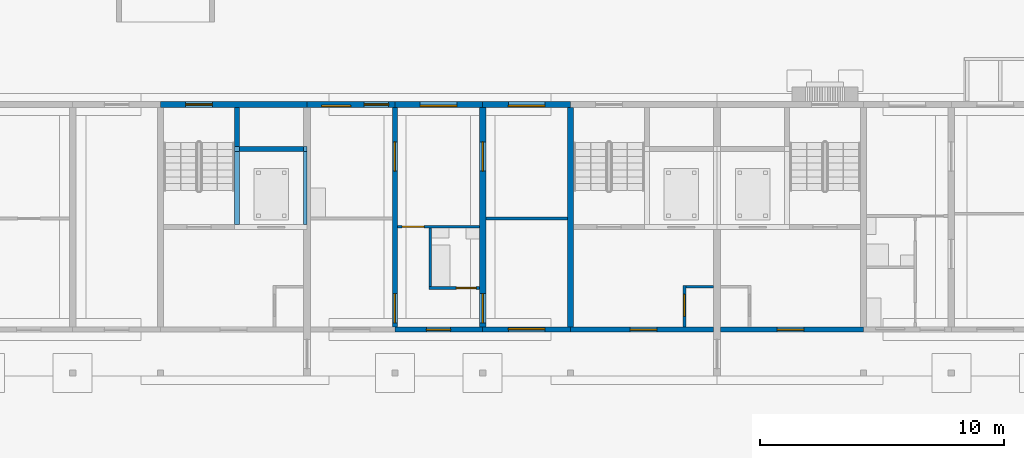
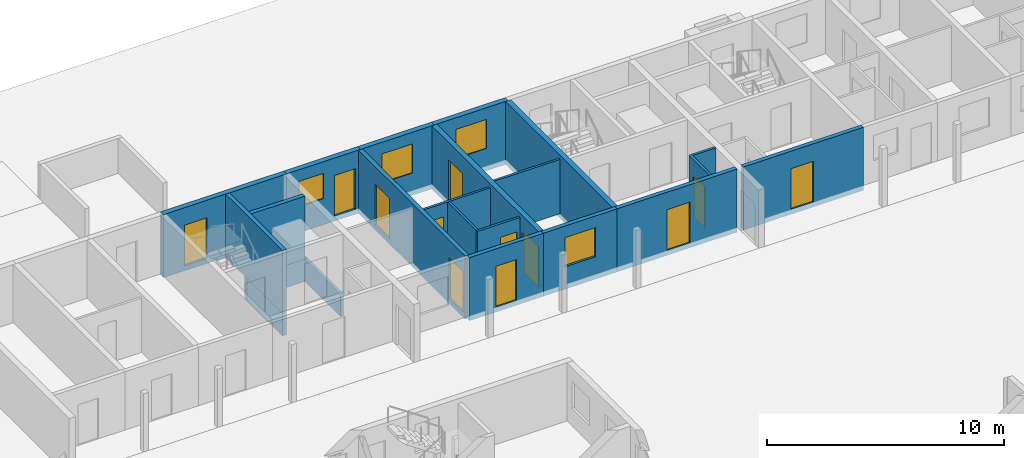
# One storey, part 65 of 112: 22 walls, 12 doors, 4 windows, 16 openings.
"""IFC4 building model written with IfcOpenShell, lengths in metres."""

from ifc_helpers import new_model, si_unit, direction, frame, frame_2d, origin, place, context, subcontext, project, spatial, rectangle, extrude, material, layer, layer_set, type_object, element, fill, save


model = new_model("IFC4")

# Units and contexts
model_context = context("Model", 3, precision=1e-05, world=origin(), true_north=direction((0.0, 1.0)))
body_context = subcontext(model_context, "Body", "Model", "MODEL_VIEW")
ifc_project = project(units=[si_unit("LENGTHUNIT", "METRE"), si_unit("AREAUNIT", "SQUARE_METRE"), si_unit("VOLUMEUNIT", "CUBIC_METRE"), si_unit("PLANEANGLEUNIT", "RADIAN"), si_unit("MASSUNIT", "GRAM", prefix="KILO")], contexts=[model_context])

# Site, building, storey
site_placement = place(None, origin())
site = spatial("IfcSite", under=ifc_project, at=site_placement, CompositionType="ELEMENT")
building_placement = place(site_placement, origin())
building = spatial("IfcBuilding", under=site, at=building_placement, Name="Ridgestep Commons", CompositionType="ELEMENT")
storey_placement = place(building_placement, origin())
storey = spatial("IfcBuildingStorey", under=building, at=storey_placement, Name="L00", CompositionType="ELEMENT", Elevation=0.0)

# Wall
ifc_material_1 = material(Name="Concrete C30/37", Category="concrete")
ifc_layer_1 = layer(ifc_material_1, 0.25)
ifc_layer_set_1 = layer_set([ifc_layer_1], Name="Core cross wall 250")
wall_type_1 = type_object("IfcWallType", Name="Core cross wall 250", PredefinedType="SHEAR", material=ifc_layer_set_1)
wall_1_placement = place(storey_placement, frame((174.39990234375, 68.0, -0.25), z_axis=(0.0, 0.0, 1.0), x_axis=(0.0, 1.0, 0.0)))
element("IfcWall", 1, at=wall_1_placement, inside=storey, type_object=wall_type_1, Name="Cross wall C-00-1744", PredefinedType="SHEAR", context=body_context, shape_type="SweptSolid", body=[
    extrude(rectangle(XDim=9.0, YDim=0.25, at=frame_2d((4.5, 0.0))), origin(), (0.0, 0.0, 1.0), 3.25),
])

# Wall, opening, door
ifc_material_2 = material(Name="Concrete C30/37", Category="concrete")
ifc_layer_2 = layer(ifc_material_2, 0.199951171875)
ifc_layer_set_2 = layer_set([ifc_layer_2], Name="Core south wall 200")
wall_type_2 = type_object("IfcWallType", Name="Core south wall 200", PredefinedType="SHEAR", material=ifc_layer_set_2)
wall_2_placement = place(storey_placement, frame((174.39990234375, 67.89990234375, -0.25), z_axis=(0.0, 0.0, 1.0), x_axis=(1.0, 0.0, 0.0)))
wall_2 = element("IfcWall", 2, at=wall_2_placement, inside=storey, type_object=wall_type_2, Name="Core south wall C2C L00", PredefinedType="SHEAR", context=body_context, shape_type="SweptSolid", body=[
    extrude(rectangle(XDim=5.85009765625, YDim=0.199951171875, at=frame_2d((2.925048828125, 0.0))), origin(), (0.0, 0.0, 1.0), 3.25),
])
opening_1_placement = place(wall_2_placement, frame((2.4375, 0.0, 0.25)))
opening_1 = element("IfcOpeningElement", 3, at=opening_1_placement, cuts=wall_2, Name="Opening C2C/00/1", PredefinedType="OPENING", context=body_context, shape_type="SweptSolid", body=[
    extrude(rectangle(XDim=1.10009765625, YDim=2.10009765625, at=frame_2d((0.550048828125, 1.050048828125))), frame((0.0, 0.10986328125, 0.0), z_axis=(0.0, -1.0, 0.0), x_axis=(1.0, 0.0, 0.0)), (0.0, 0.0, 1.0), 0.219970703125),
])
ifc_material_3 = material(Name="Steel fire door", Category="steel")
door_type_1 = type_object("IfcDoorType", Name="Lobby door 1100 x 2100 FD60", OperationType="NOTDEFINED", PredefinedType="DOOR", material=ifc_material_3)
door_1_placement = place(opening_1_placement, origin())
door_1 = element("IfcDoor", 4, at=door_1_placement, inside=storey, type_object=door_type_1, Name="Lobby door C2C/00/1", OperationType="SINGLE_SWING_LEFT", OverallHeight=2.10009765625, OverallWidth=1.10009765625, PredefinedType="DOOR", context=body_context, shape_type="SweptSolid", body=[
    extrude(rectangle(XDim=1.10009765625, YDim=2.10009765625, at=frame_2d((0.550048828125, 1.050048828125))), frame((0.0, 0.02490234375, 0.0), z_axis=(0.0, -1.0, 0.0), x_axis=(1.0, 0.0, 0.0)), (0.0, 0.0, 1.0), 0.050048828125),
])
fill(opening_1, door_1)

wall_3_placement = place(storey_placement, frame((180.550048828125, 67.89990234375, -0.25), z_axis=(0.0, 0.0, 1.0), x_axis=(1.0, 0.0, 0.0)))
wall_3 = element("IfcWall", 5, at=wall_3_placement, inside=storey, type_object=wall_type_2, Name="Core south wall C3C L00", PredefinedType="SHEAR", context=body_context, shape_type="SweptSolid", body=[
    extrude(rectangle(XDim=5.849853515625, YDim=0.199951171875, at=frame_2d((2.9248046875, 0.0))), origin(), (0.0, 0.0, 1.0), 3.25),
])
opening_2_placement = place(wall_3_placement, frame((2.3125, 0.0, 0.25)))
opening_2 = element("IfcOpeningElement", 6, at=opening_2_placement, cuts=wall_3, Name="Opening C3C/00/1", PredefinedType="OPENING", context=body_context, shape_type="SweptSolid", body=[
    extrude(rectangle(XDim=1.10009765625, YDim=2.10009765625, at=frame_2d((0.550048828125, 1.050048828125))), frame((0.0, 0.10986328125, 0.0), z_axis=(0.0, -1.0, 0.0), x_axis=(1.0, 0.0, 0.0)), (0.0, 0.0, 1.0), 0.219970703125),
])
door_2_placement = place(opening_2_placement, origin())
door_2 = element("IfcDoor", 7, at=door_2_placement, inside=storey, type_object=door_type_1, Name="Lobby door C3C/00/1", OperationType="SINGLE_SWING_LEFT", OverallHeight=2.10009765625, OverallWidth=1.10009765625, PredefinedType="DOOR", context=body_context, shape_type="SweptSolid", body=[
    extrude(rectangle(XDim=1.10009765625, YDim=2.10009765625, at=frame_2d((0.550048828125, 1.050048828125))), frame((0.0, 0.02490234375, 0.0), z_axis=(0.0, -1.0, 0.0), x_axis=(1.0, 0.0, 0.0)), (0.0, 0.0, 1.0), 0.050048828125),
])
fill(opening_2, door_2)

ifc_material_4 = material(Name="Concrete C30/37", Category="concrete")
ifc_layer_3 = layer(ifc_material_4, 0.1201171875)
ifc_layer_set_3 = layer_set([ifc_layer_3], Name="Core wall 120")
wall_type_3 = type_object("IfcWallType", Name="Core wall 120", PredefinedType="SHEAR", material=ifc_layer_set_3)
wall_4_placement = place(storey_placement, frame((179.06005859375, 68.0, -0.25), z_axis=(0.0, 0.0, 1.0), x_axis=(0.0, 1.0, 0.0)))
wall_4 = element("IfcWall", 8, at=wall_4_placement, inside=storey, type_object=wall_type_3, Name="Core riser w wall C2C L00", PredefinedType="SHEAR", context=body_context, shape_type="SweptSolid", body=[
    extrude(rectangle(XDim=1.719970703125, YDim=0.1201171875, at=frame_2d((0.85986328125, 0.0))), origin(), (0.0, 0.0, 1.0), 3.25),
])
opening_3_placement = place(wall_4_placement, frame((0.449951171875, 0.0, 0.25)))
opening_3 = element("IfcOpeningElement", 9, at=opening_3_placement, cuts=wall_4, Name="Opening C2C/00/4", PredefinedType="OPENING", context=body_context, shape_type="SweptSolid", body=[
    extrude(rectangle(XDim=0.89990234375, YDim=2.10009765625, at=frame_2d((0.449951171875, 1.050048828125))), frame((0.0, 0.070068359375, 0.0), z_axis=(0.0, -1.0, 0.0), x_axis=(1.0, 0.0, 0.0)), (0.0, 0.0, 1.0), 0.14013671875),
])
ifc_material_5 = material(Name="Steel fire door", Category="steel")
door_type_2 = type_object("IfcDoorType", Name="Riser door 900 x 2100 FD60", OperationType="NOTDEFINED", PredefinedType="DOOR", material=ifc_material_5)
door_3_placement = place(opening_3_placement, origin())
door_3 = element("IfcDoor", 10, at=door_3_placement, inside=storey, type_object=door_type_2, Name="Riser door C2C/00/4", OperationType="SINGLE_SWING_LEFT", OverallHeight=2.10009765625, OverallWidth=0.89990234375, PredefinedType="DOOR", context=body_context, shape_type="SweptSolid", body=[
    extrude(rectangle(XDim=0.89990234375, YDim=2.10009765625, at=frame_2d((0.449951171875, 1.050048828125))), frame((0.0, 0.02490234375, 0.0), z_axis=(0.0, -1.0, 0.0), x_axis=(1.0, 0.0, 0.0)), (0.0, 0.0, 1.0), 0.050048828125),
])
fill(opening_3, door_3)

# Walls
wall_5_placement = place(storey_placement, frame((179.1201171875, 69.659912109375, -0.25), z_axis=(0.0, 0.0, 1.0), x_axis=(1.0, 0.0, 0.0)))
element("IfcWall", 11, at=wall_5_placement, inside=storey, type_object=wall_type_3, Name="Core riser n wall C2C L00", PredefinedType="SHEAR", context=body_context, shape_type="SweptSolid", body=[
    extrude(rectangle(XDim=1.1298828125, YDim=0.1201171875, at=frame_2d((0.56494140625, 0.0))), origin(), (0.0, 0.0, 1.0), 3.25),
])
ifc_material_6 = material(Name="Concrete C30/37", Category="concrete")
ifc_layer_4 = layer(ifc_material_6, 0.14990234375)
ifc_layer_set_4 = layer_set([ifc_layer_4], Name="Core wall 150")
wall_type_4 = type_object("IfcWallType", Name="Core wall 150", PredefinedType="SHEAR", material=ifc_layer_set_4)
wall_6_placement = place(storey_placement, frame((163.52490234375, 72.199951171875, -1.39990234375), z_axis=(0.0, 0.0, 1.0), x_axis=(0.0, 1.0, 0.0)))
element("IfcWall", 12, at=wall_6_placement, inside=storey, type_object=wall_type_4, Name="Lift pit wall C1C", PredefinedType="SHEAR", context=body_context, shape_type="SweptSolid", body=[
    extrude(rectangle(XDim=3.0, YDim=0.14990234375, at=frame_2d((1.5, 0.0))), origin(), (0.0, 0.0, 1.0), 1.14990234375),
])
ifc_material_7 = material(Name="Concrete C30/37", Category="concrete")
ifc_layer_5 = layer(ifc_material_7, 0.199951171875)
ifc_layer_set_5 = layer_set([ifc_layer_5], Name="Core wall 200")
wall_type_5 = type_object("IfcWallType", Name="Core wall 200", PredefinedType="SHEAR", material=ifc_layer_set_5)
wall_7_placement = place(storey_placement, frame((160.72509765625, 72.199951171875, -0.25), z_axis=(0.0, 0.0, 1.0), x_axis=(0.0, 1.0, 0.0)))
element("IfcWall", 13, at=wall_7_placement, inside=storey, type_object=wall_type_5, Name="Core stair wall C1C L00", PredefinedType="SHEAR", context=body_context, shape_type="SweptSolid", body=[
    extrude(rectangle(XDim=4.800048828125, YDim=0.199951171875, at=frame_2d((2.39990234375, 0.0))), origin(), (0.0, 0.0, 1.0), 3.25),
])
wall_8_placement = place(storey_placement, frame((160.824951171875, 75.300048828125, -0.25), z_axis=(0.0, 0.0, 1.0), x_axis=(1.0, 0.0, 0.0)))
element("IfcWall", 14, at=wall_8_placement, inside=storey, type_object=wall_type_5, Name="Core duct wall C1C L00", PredefinedType="SHEAR", context=body_context, shape_type="SweptSolid", body=[
    extrude(rectangle(XDim=2.625, YDim=0.199951171875, at=frame_2d((1.3125, 0.0))), origin(), (0.0, 0.0, 1.0), 3.25),
])
wall_9_placement = place(storey_placement, frame((160.625, 75.300048828125, -1.39990234375), z_axis=(0.0, 0.0, 1.0), x_axis=(1.0, 0.0, 0.0)))
element("IfcWall", 15, at=wall_9_placement, inside=storey, type_object=wall_type_5, Name="Lift pit wall C1C", PredefinedType="SHEAR", context=body_context, shape_type="SweptSolid", body=[
    extrude(rectangle(XDim=2.97509765625, YDim=0.199951171875, at=frame_2d((1.487548828125, 0.0))), origin(), (0.0, 0.0, 1.0), 1.14990234375),
])
wall_10_placement = place(storey_placement, frame((160.72509765625, 72.199951171875, -1.39990234375), z_axis=(0.0, 0.0, 1.0), x_axis=(0.0, 1.0, 0.0)))
element("IfcWall", 16, at=wall_10_placement, inside=storey, type_object=wall_type_5, Name="Lift pit wall C1C", PredefinedType="SHEAR", context=body_context, shape_type="SweptSolid", body=[
    extrude(rectangle(XDim=3.0, YDim=0.199951171875, at=frame_2d((1.5, 0.0))), origin(), (0.0, 0.0, 1.0), 1.14990234375),
])

# Wall, openings, doors
ifc_material_8 = material(Name="Precast concrete C40/50", Category="concrete")
ifc_layer_6 = layer(ifc_material_8, 0.199951171875)
ifc_layer_set_6 = layer_set([ifc_layer_6], Name="Cross wall 200")
wall_type_6 = type_object("IfcWallType", Name="Cross wall 200", PredefinedType="SHEAR", material=ifc_layer_set_6)
wall_11_placement = place(storey_placement, frame((167.199951171875, 68.0, -0.25), z_axis=(0.0, 0.0, 1.0), x_axis=(0.0, 1.0, 0.0)))
wall_11 = element("IfcWall", 17, at=wall_11_placement, inside=storey, type_object=wall_type_6, Name="Cross wall C-00-1672", PredefinedType="SHEAR", context=body_context, shape_type="SweptSolid", body=[
    extrude(rectangle(XDim=9.0, YDim=0.199951171875, at=frame_2d((4.5, 0.0))), origin(), (0.0, 0.0, 1.0), 3.25),
])
opening_4_placement = place(wall_11_placement, frame((0.175048828125, 0.0, 0.25)))
opening_4 = element("IfcOpeningElement", 18, at=opening_4_placement, cuts=wall_11, Name="Opening C2-00a/4", PredefinedType="OPENING", context=body_context, shape_type="SweptSolid", body=[
    extrude(rectangle(XDim=1.199951171875, YDim=2.10009765625, at=frame_2d((0.60009765625, 1.050048828125))), frame((0.0, 0.10986328125, 0.0), z_axis=(0.0, -1.0, 0.0), x_axis=(1.0, 0.0, 0.0)), (0.0, 0.0, 1.0), 0.219970703125),
])
opening_5_placement = place(wall_11_placement, frame((6.39990234375, 0.0, 0.25)))
opening_5 = element("IfcOpeningElement", 19, at=opening_5_placement, cuts=wall_11, Name="Opening C2-00a/5", PredefinedType="OPENING", context=body_context, shape_type="SweptSolid", body=[
    extrude(rectangle(XDim=1.199951171875, YDim=2.10009765625, at=frame_2d((0.60009765625, 1.050048828125))), frame((0.0, 0.10986328125, 0.0), z_axis=(0.0, -1.0, 0.0), x_axis=(1.0, 0.0, 0.0)), (0.0, 0.0, 1.0), 0.219970703125),
])
ifc_material_9 = material(Name="Timber door leaf", Category="wood")
door_type_3 = type_object("IfcDoorType", Name="Double door 1200 x 2100", OperationType="DOUBLE_DOOR_SINGLE_SWING", PredefinedType="DOOR", material=ifc_material_9)
door_4_placement = place(opening_4_placement, origin())
door_4 = element("IfcDoor", 20, at=door_4_placement, inside=storey, type_object=door_type_3, Name="Double door C2-00a/4", OperationType="DOUBLE_DOOR_SINGLE_SWING", OverallHeight=2.10009765625, OverallWidth=1.199951171875, PredefinedType="DOOR", context=body_context, shape_type="SweptSolid", body=[
    extrude(rectangle(XDim=1.199951171875, YDim=2.10009765625, at=frame_2d((0.60009765625, 1.050048828125))), frame((0.0, 0.02490234375, 0.0), z_axis=(0.0, -1.0, 0.0), x_axis=(1.0, 0.0, 0.0)), (0.0, 0.0, 1.0), 0.050048828125),
])
fill(opening_4, door_4)
door_5_placement = place(opening_5_placement, origin())
door_5 = element("IfcDoor", 21, at=door_5_placement, inside=storey, type_object=door_type_3, Name="Double door C2-00a/5", OperationType="DOUBLE_DOOR_SINGLE_SWING", OverallHeight=2.10009765625, OverallWidth=1.199951171875, PredefinedType="DOOR", context=body_context, shape_type="SweptSolid", body=[
    extrude(rectangle(XDim=1.199951171875, YDim=2.10009765625, at=frame_2d((0.60009765625, 1.050048828125))), frame((0.0, 0.02490234375, 0.0), z_axis=(0.0, -1.0, 0.0), x_axis=(1.0, 0.0, 0.0)), (0.0, 0.0, 1.0), 0.050048828125),
])
fill(opening_5, door_5)

ifc_material_10 = material(Name="Precast concrete C40/50", Category="concrete")
ifc_layer_7 = layer(ifc_material_10, 0.25)
ifc_layer_set_7 = layer_set([ifc_layer_7], Name="Cross wall 250")
wall_type_7 = type_object("IfcWallType", Name="Cross wall 250", PredefinedType="SHEAR", material=ifc_layer_set_7)
wall_12_placement = place(storey_placement, frame((170.800048828125, 68.0, -0.25), z_axis=(0.0, 0.0, 1.0), x_axis=(0.0, 1.0, 0.0)))
wall_12 = element("IfcWall", 22, at=wall_12_placement, inside=storey, type_object=wall_type_7, Name="Cross wall C-00-1708", PredefinedType="SHEAR", context=body_context, shape_type="SweptSolid", body=[
    extrude(rectangle(XDim=9.0, YDim=0.25, at=frame_2d((4.5, 0.0))), origin(), (0.0, 0.0, 1.0), 3.25),
])
opening_6_placement = place(wall_12_placement, frame((0.175048828125, 0.0, 0.25)))
opening_6 = element("IfcOpeningElement", 23, at=opening_6_placement, cuts=wall_12, Name="Opening C2-00a/6", PredefinedType="OPENING", context=body_context, shape_type="SweptSolid", body=[
    extrude(rectangle(XDim=1.199951171875, YDim=2.10009765625, at=frame_2d((0.60009765625, 1.050048828125))), frame((0.0, 0.135009765625, 0.0), z_axis=(0.0, -1.0, 0.0), x_axis=(1.0, 0.0, 0.0)), (0.0, 0.0, 1.0), 0.27001953125),
])
opening_7_placement = place(wall_12_placement, frame((6.39990234375, 0.0, 0.25)))
opening_7 = element("IfcOpeningElement", 24, at=opening_7_placement, cuts=wall_12, Name="Opening C2-00a/7", PredefinedType="OPENING", context=body_context, shape_type="SweptSolid", body=[
    extrude(rectangle(XDim=1.199951171875, YDim=2.10009765625, at=frame_2d((0.60009765625, 1.050048828125))), frame((0.0, 0.135009765625, 0.0), z_axis=(0.0, -1.0, 0.0), x_axis=(1.0, 0.0, 0.0)), (0.0, 0.0, 1.0), 0.27001953125),
])
door_6_placement = place(opening_6_placement, origin())
door_6 = element("IfcDoor", 25, at=door_6_placement, inside=storey, type_object=door_type_3, Name="Double door C2-00a/6", OperationType="DOUBLE_DOOR_SINGLE_SWING", OverallHeight=2.10009765625, OverallWidth=1.199951171875, PredefinedType="DOOR", context=body_context, shape_type="SweptSolid", body=[
    extrude(rectangle(XDim=1.199951171875, YDim=2.10009765625, at=frame_2d((0.60009765625, 1.050048828125))), frame((0.0, 0.02490234375, 0.0), z_axis=(0.0, -1.0, 0.0), x_axis=(1.0, 0.0, 0.0)), (0.0, 0.0, 1.0), 0.050048828125),
])
fill(opening_6, door_6)
door_7_placement = place(opening_7_placement, origin())
door_7 = element("IfcDoor", 26, at=door_7_placement, inside=storey, type_object=door_type_3, Name="Double door C2-00a/7", OperationType="DOUBLE_DOOR_SINGLE_SWING", OverallHeight=2.10009765625, OverallWidth=1.199951171875, PredefinedType="DOOR", context=body_context, shape_type="SweptSolid", body=[
    extrude(rectangle(XDim=1.199951171875, YDim=2.10009765625, at=frame_2d((0.60009765625, 1.050048828125))), frame((0.0, 0.02490234375, 0.0), z_axis=(0.0, -1.0, 0.0), x_axis=(1.0, 0.0, 0.0)), (0.0, 0.0, 1.0), 0.050048828125),
])
fill(opening_7, door_7)

# Wall, opening, door
ifc_material_11 = material(Name="Precast concrete C40/50", Category="concrete")
ifc_layer_8 = layer(ifc_material_11, 0.25)
ifc_layer_set_8 = layer_set([ifc_layer_8], Name="North facade panel 250")
wall_type_8 = type_object("IfcWallType", Name="North facade panel 250", PredefinedType="SOLIDWALL", material=ifc_layer_set_8)
wall_13_placement = place(storey_placement, frame((157.60009765625, 77.125, -0.25), z_axis=(0.0, 0.0, 1.0), x_axis=(1.0, 0.0, 0.0)))
wall_13 = element("IfcWall", 27, at=wall_13_placement, inside=storey, type_object=wall_type_8, Name="North panel C1C L00", PredefinedType="SOLIDWALL", context=body_context, shape_type="SweptSolid", body=[
    extrude(rectangle(XDim=6.0, YDim=0.25, at=frame_2d((3.0, 0.0))), origin(), (0.0, 0.0, 1.0), 3.25),
])
opening_8_placement = place(wall_13_placement, frame((1.02490234375, 0.0, 0.25)))
opening_8 = element("IfcOpeningElement", 28, at=opening_8_placement, cuts=wall_13, Name="Opening C1C/00/5", PredefinedType="OPENING", context=body_context, shape_type="SweptSolid", body=[
    extrude(rectangle(XDim=1.10009765625, YDim=2.10009765625, at=frame_2d((0.550048828125, 1.050048828125))), frame((0.0, 0.135009765625, 0.0), z_axis=(0.0, -1.0, 0.0), x_axis=(1.0, 0.0, 0.0)), (0.0, 0.0, 1.0), 0.27001953125),
])
ifc_material_12 = material(Name="Steel fire door", Category="steel")
door_type_4 = type_object("IfcDoorType", Name="Stair exit door 1100 x 2100 FD60", OperationType="NOTDEFINED", PredefinedType="DOOR", material=ifc_material_12)
door_8_placement = place(opening_8_placement, origin())
door_8 = element("IfcDoor", 29, at=door_8_placement, inside=storey, type_object=door_type_4, Name="Stair exit door C1C/00/5", OperationType="SINGLE_SWING_LEFT", OverallHeight=2.10009765625, OverallWidth=1.10009765625, PredefinedType="DOOR", context=body_context, shape_type="SweptSolid", body=[
    extrude(rectangle(XDim=1.10009765625, YDim=2.10009765625, at=frame_2d((0.550048828125, 1.050048828125))), frame((0.0, 0.02490234375, 0.0), z_axis=(0.0, -1.0, 0.0), x_axis=(1.0, 0.0, 0.0)), (0.0, 0.0, 1.0), 0.050048828125),
])
fill(opening_8, door_8)

# Wall, openings, door, window
wall_14_placement = place(storey_placement, frame((163.60009765625, 77.125, -0.25), z_axis=(0.0, 0.0, 1.0), x_axis=(1.0, 0.0, 0.0)))
wall_14 = element("IfcWall", 30, at=wall_14_placement, inside=storey, type_object=wall_type_8, Name="North panel C2T1 L00", PredefinedType="SOLIDWALL", context=body_context, shape_type="SweptSolid", body=[
    extrude(rectangle(XDim=3.599853515625, YDim=0.25, at=frame_2d((1.7998046875, 0.0))), origin(), (0.0, 0.0, 1.0), 3.25),
])
opening_9_placement = place(wall_14_placement, frame((0.596923828125, 0.0, 1.35009765625)))
opening_9 = element("IfcOpeningElement", 31, at=opening_9_placement, cuts=wall_14, Name="Opening W08", PredefinedType="OPENING", context=body_context, shape_type="SweptSolid", body=[
    extrude(rectangle(XDim=1.199951171875, YDim=1.300048828125, at=frame_2d((0.60009765625, 0.64990234375))), frame((0.0, 0.135009765625, 0.0), z_axis=(0.0, -1.0, 0.0), x_axis=(1.0, 0.0, 0.0)), (0.0, 0.0, 1.0), 0.27001953125),
])
opening_10_placement = place(wall_14_placement, frame((2.343994140625, 0.0, 0.25)))
opening_10 = element("IfcOpeningElement", 32, at=opening_10_placement, cuts=wall_14, Name="Opening C2-00a/8", PredefinedType="OPENING", context=body_context, shape_type="SweptSolid", body=[
    extrude(rectangle(XDim=1.0, YDim=2.10009765625, at=frame_2d((0.5, 1.050048828125))), frame((0.0, 0.135009765625, 0.0), z_axis=(0.0, -1.0, 0.0), x_axis=(1.0, 0.0, 0.0)), (0.0, 0.0, 1.0), 0.27001953125),
])
ifc_material_13 = material(Name="Aluminium and glass", Category="aluminium")
door_type_5 = type_object("IfcDoorType", Name="Balcony door 1000 x 2100", OperationType="NOTDEFINED", PredefinedType="DOOR", material=ifc_material_13)
door_9_placement = place(opening_10_placement, origin())
door_9 = element("IfcDoor", 33, at=door_9_placement, inside=storey, type_object=door_type_5, Name="Balcony door C2-00a/8", OperationType="SINGLE_SWING_LEFT", OverallHeight=2.10009765625, OverallWidth=1.0, PredefinedType="DOOR", context=body_context, shape_type="SweptSolid", body=[
    extrude(rectangle(XDim=1.0, YDim=2.10009765625, at=frame_2d((0.5, 1.050048828125))), frame((0.0, 0.02490234375, 0.0), z_axis=(0.0, -1.0, 0.0), x_axis=(1.0, 0.0, 0.0)), (0.0, 0.0, 1.0), 0.050048828125),
])
fill(opening_10, door_9)
ifc_material_14 = material(Name="Aluminium 6063-T6 and glass", Category="aluminium")
window_type_1 = type_object("IfcWindowType", Name="Flat window 1200 x 1300", PartitioningType="SINGLE_PANEL", PredefinedType="WINDOW", material=ifc_material_14)
window_1_placement = place(opening_9_placement, origin())
window_1 = element("IfcWindow", 34, at=window_1_placement, inside=storey, type_object=window_type_1, Name="Window C2-00a 2", OverallHeight=1.300048828125, OverallWidth=1.199951171875, PartitioningType="SINGLE_PANEL", PredefinedType="WINDOW", context=body_context, shape_type="SweptSolid", body=[
    extrude(rectangle(XDim=1.199951171875, YDim=1.300048828125, at=frame_2d((0.60009765625, 0.64990234375))), frame((0.0, -0.02490234375, 0.0), z_axis=(0.0, -1.0, 0.0), x_axis=(1.0, 0.0, 0.0)), (0.0, 0.0, 1.0), 0.06005859375),
])
fill(opening_9, window_1)

# Wall, opening, window
wall_15_placement = place(storey_placement, frame((167.199951171875, 77.125, -0.25), z_axis=(0.0, 0.0, 1.0), x_axis=(1.0, 0.0, 0.0)))
wall_15 = element("IfcWall", 35, at=wall_15_placement, inside=storey, type_object=wall_type_8, Name="North panel C2T2 L00", PredefinedType="SOLIDWALL", context=body_context, shape_type="SweptSolid", body=[
    extrude(rectangle(XDim=3.60009765625, YDim=0.25, at=frame_2d((1.800048828125, 0.0))), origin(), (0.0, 0.0, 1.0), 3.25),
])
opening_11_placement = place(wall_15_placement, frame((1.03759765625, 0.0, 1.14990234375)))
opening_11 = element("IfcOpeningElement", 36, at=opening_11_placement, cuts=wall_15, Name="Opening W16", PredefinedType="OPENING", context=body_context, shape_type="SweptSolid", body=[
    extrude(rectangle(XDim=1.5, YDim=1.5, at=frame_2d((0.75, 0.75))), frame((0.0, 0.135009765625, 0.0), z_axis=(0.0, -1.0, 0.0), x_axis=(1.0, 0.0, 0.0)), (0.0, 0.0, 1.0), 0.27001953125),
])
ifc_material_15 = material(Name="Aluminium 6063-T6 and glass", Category="aluminium")
window_type_2 = type_object("IfcWindowType", Name="Flat window 1500 x 1500", PartitioningType="DOUBLE_PANEL_VERTICAL", PredefinedType="WINDOW", material=ifc_material_15)
window_2_placement = place(opening_11_placement, origin())
window_2 = element("IfcWindow", 37, at=window_2_placement, inside=storey, type_object=window_type_2, Name="Window C2-00a 5", OverallHeight=1.5, OverallWidth=1.5, PartitioningType="SINGLE_PANEL", PredefinedType="WINDOW", context=body_context, shape_type="SweptSolid", body=[
    extrude(rectangle(XDim=1.5, YDim=1.5, at=frame_2d((0.75, 0.75))), frame((0.0, -0.02490234375, 0.0), z_axis=(0.0, -1.0, 0.0), x_axis=(1.0, 0.0, 0.0)), (0.0, 0.0, 1.0), 0.06005859375),
])
fill(opening_11, window_2)

wall_16_placement = place(storey_placement, frame((170.800048828125, 77.125, -0.25), z_axis=(0.0, 0.0, 1.0), x_axis=(1.0, 0.0, 0.0)))
wall_16 = element("IfcWall", 38, at=wall_16_placement, inside=storey, type_object=wall_type_8, Name="North panel C2T3 L00", PredefinedType="SOLIDWALL", context=body_context, shape_type="SweptSolid", body=[
    extrude(rectangle(XDim=3.599853515625, YDim=0.25, at=frame_2d((1.7998046875, 0.0))), origin(), (0.0, 0.0, 1.0), 3.25),
])
opening_12_placement = place(wall_16_placement, frame((1.050048828125, 0.0, 1.14990234375)))
opening_12 = element("IfcOpeningElement", 39, at=opening_12_placement, cuts=wall_16, Name="Opening W16", PredefinedType="OPENING", context=body_context, shape_type="SweptSolid", body=[
    extrude(rectangle(XDim=1.5, YDim=1.5, at=frame_2d((0.75, 0.75))), frame((0.0, 0.135009765625, 0.0), z_axis=(0.0, -1.0, 0.0), x_axis=(1.0, 0.0, 0.0)), (0.0, 0.0, 1.0), 0.27001953125),
])
window_3_placement = place(opening_12_placement, origin())
window_3 = element("IfcWindow", 40, at=window_3_placement, inside=storey, type_object=window_type_2, Name="Window C2-00a 4", OverallHeight=1.5, OverallWidth=1.5, PartitioningType="SINGLE_PANEL", PredefinedType="WINDOW", context=body_context, shape_type="SweptSolid", body=[
    extrude(rectangle(XDim=1.5, YDim=1.5, at=frame_2d((0.75, 0.75))), frame((0.0, -0.02490234375, 0.0), z_axis=(0.0, -1.0, 0.0), x_axis=(1.0, 0.0, 0.0)), (0.0, 0.0, 1.0), 0.06005859375),
])
fill(opening_12, window_3)

# Wall, opening, door
ifc_material_16 = material(Name="Common brick 110 mm", Category="masonry")
ifc_layer_9 = layer(ifc_material_16, 0.110107421875)
ifc_layer_set_9 = layer_set([ifc_layer_9], Name="Partition 110")
wall_type_9 = type_object("IfcWallType", Name="Partition 110", PredefinedType="PARTITIONING", material=ifc_layer_set_9)
wall_17_placement = place(storey_placement, frame((168.60009765625, 69.60498046875, 0.0), z_axis=(0.0, 0.0, 1.0), x_axis=(1.0, 0.0, 0.0)))
wall_17 = element("IfcWall", 41, at=wall_17_placement, inside=storey, type_object=wall_type_9, Name="Partition C2-00a", PredefinedType="PARTITIONING", context=body_context, shape_type="SweptSolid", body=[
    extrude(rectangle(XDim=2.074951171875, YDim=0.110107421875, at=frame_2d((1.03759765625, 0.0))), origin(), (0.0, 0.0, 1.0), 2.800048828125),
])
opening_13_placement = place(wall_17_placement, frame((1.125, 0.0, 0.0)))
opening_13 = element("IfcOpeningElement", 42, at=opening_13_placement, cuts=wall_17, Name="Opening C2-00a/2", PredefinedType="OPENING", context=body_context, shape_type="SweptSolid", body=[
    extrude(rectangle(XDim=0.800048828125, YDim=2.10009765625, at=frame_2d((0.39990234375, 1.050048828125))), frame((0.0, 0.06494140625, 0.0), z_axis=(0.0, -1.0, 0.0), x_axis=(1.0, 0.0, 0.0)), (0.0, 0.0, 1.0), 0.130126953125),
])
ifc_material_17 = material(Name="Timber door leaf", Category="wood")
door_type_6 = type_object("IfcDoorType", Name="Internal door 800 x 2100", OperationType="NOTDEFINED", PredefinedType="DOOR", material=ifc_material_17)
door_10_placement = place(opening_13_placement, origin())
door_10 = element("IfcDoor", 43, at=door_10_placement, inside=storey, type_object=door_type_6, Name="Internal door C2-00a/2", OperationType="SINGLE_SWING_RIGHT", OverallHeight=2.10009765625, OverallWidth=0.800048828125, PredefinedType="DOOR", context=body_context, shape_type="SweptSolid", body=[
    extrude(rectangle(XDim=0.800048828125, YDim=2.10009765625, at=frame_2d((0.39990234375, 1.050048828125))), frame((0.0, 0.02490234375, 0.0), z_axis=(0.0, -1.0, 0.0), x_axis=(1.0, 0.0, 0.0)), (0.0, 0.0, 1.0), 0.050048828125),
])
fill(opening_13, door_10)

# Wall
wall_18_placement = place(storey_placement, frame((168.655029296875, 69.659912109375, 0.0), z_axis=(0.0, 0.0, 1.0), x_axis=(0.0, 1.0, 0.0)))
element("IfcWall", 44, at=wall_18_placement, inside=storey, type_object=wall_type_9, Name="Partition C2-00a", PredefinedType="PARTITIONING", context=body_context, shape_type="SweptSolid", body=[
    extrude(rectangle(XDim=2.400146484375, YDim=0.110107421875, at=frame_2d((1.2001953125, 0.0))), origin(), (0.0, 0.0, 1.0), 2.800048828125),
])

# Wall, opening, door
wall_19_placement = place(storey_placement, frame((167.300048828125, 72.114990234375, 0.0), z_axis=(0.0, 0.0, 1.0), x_axis=(1.0, 0.0, 0.0)))
wall_19 = element("IfcWall", 45, at=wall_19_placement, inside=storey, type_object=wall_type_9, Name="Partition C2-00a", PredefinedType="PARTITIONING", context=body_context, shape_type="SweptSolid", body=[
    extrude(rectangle(XDim=3.375, YDim=0.110107421875, at=frame_2d((1.6875, 0.0))), origin(), (0.0, 0.0, 1.0), 2.800048828125),
])
opening_14_placement = place(wall_19_placement, frame((0.199951171875, 0.0, 0.0)))
opening_14 = element("IfcOpeningElement", 46, at=opening_14_placement, cuts=wall_19, Name="Opening C2-00a/3", PredefinedType="OPENING", context=body_context, shape_type="SweptSolid", body=[
    extrude(rectangle(XDim=0.89990234375, YDim=2.10009765625, at=frame_2d((0.449951171875, 1.050048828125))), frame((0.0, 0.06494140625, 0.0), z_axis=(0.0, -1.0, 0.0), x_axis=(1.0, 0.0, 0.0)), (0.0, 0.0, 1.0), 0.130126953125),
])
ifc_material_18 = material(Name="Timber door leaf", Category="wood")
door_type_7 = type_object("IfcDoorType", Name="Internal door 900 x 2100", OperationType="NOTDEFINED", PredefinedType="DOOR", material=ifc_material_18)
door_11_placement = place(opening_14_placement, origin())
door_11 = element("IfcDoor", 47, at=door_11_placement, inside=storey, type_object=door_type_7, Name="Internal door C2-00a/3", OperationType="SINGLE_SWING_LEFT", OverallHeight=2.10009765625, OverallWidth=0.89990234375, PredefinedType="DOOR", context=body_context, shape_type="SweptSolid", body=[
    extrude(rectangle(XDim=0.89990234375, YDim=2.10009765625, at=frame_2d((0.449951171875, 1.050048828125))), frame((0.0, 0.02490234375, 0.0), z_axis=(0.0, -1.0, 0.0), x_axis=(1.0, 0.0, 0.0)), (0.0, 0.0, 1.0), 0.050048828125),
])
fill(opening_14, door_11)

# Wall
wall_20_placement = place(storey_placement, frame((170.925048828125, 72.455078125, 0.0), z_axis=(0.0, 0.0, 1.0), x_axis=(1.0, 0.0, 0.0)))
element("IfcWall", 48, at=wall_20_placement, inside=storey, type_object=wall_type_9, Name="Partition C2-00a", PredefinedType="PARTITIONING", context=body_context, shape_type="SweptSolid", body=[
    extrude(rectangle(XDim=3.349853515625, YDim=0.110107421875, at=frame_2d((1.6748046875, 0.0))), origin(), (0.0, 0.0, 1.0), 2.800048828125),
])

# Wall, opening, door
ifc_material_19 = material(Name="Precast concrete C40/50", Category="concrete")
ifc_layer_10 = layer(ifc_material_19, 0.199951171875)
ifc_layer_set_10 = layer_set([ifc_layer_10], Name="South facade panel 200")
wall_type_10 = type_object("IfcWallType", Name="South facade panel 200", PredefinedType="SOLIDWALL", material=ifc_layer_set_10)
wall_21_placement = place(storey_placement, frame((167.199951171875, 67.89990234375, -0.25), z_axis=(0.0, 0.0, 1.0), x_axis=(1.0, 0.0, 0.0)))
wall_21 = element("IfcWall", 49, at=wall_21_placement, inside=storey, type_object=wall_type_10, Name="South panel C2T2 L00", PredefinedType="SOLIDWALL", context=body_context, shape_type="SweptSolid", body=[
    extrude(rectangle(XDim=3.60009765625, YDim=0.199951171875, at=frame_2d((1.800048828125, 0.0))), origin(), (0.0, 0.0, 1.0), 3.25),
])
opening_15_placement = place(wall_21_placement, frame((1.28759765625, 0.0, 0.25)))
opening_15 = element("IfcOpeningElement", 50, at=opening_15_placement, cuts=wall_21, Name="Opening C2-00a/1", PredefinedType="OPENING", context=body_context, shape_type="SweptSolid", body=[
    extrude(rectangle(XDim=1.0, YDim=2.10009765625, at=frame_2d((0.5, 1.050048828125))), frame((0.0, 0.10986328125, 0.0), z_axis=(0.0, -1.0, 0.0), x_axis=(1.0, 0.0, 0.0)), (0.0, 0.0, 1.0), 0.219970703125),
])
ifc_material_20 = material(Name="Timber door leaf", Category="wood")
door_type_8 = type_object("IfcDoorType", Name="Flat entrance door 1000 x 2100 FD30S", OperationType="NOTDEFINED", PredefinedType="DOOR", material=ifc_material_20)
door_12_placement = place(opening_15_placement, origin())
door_12 = element("IfcDoor", 51, at=door_12_placement, inside=storey, type_object=door_type_8, Name="Flat entrance door C2-00a/1", OperationType="SINGLE_SWING_LEFT", OverallHeight=2.10009765625, OverallWidth=1.0, PredefinedType="DOOR", context=body_context, shape_type="SweptSolid", body=[
    extrude(rectangle(XDim=1.0, YDim=2.10009765625, at=frame_2d((0.5, 1.050048828125))), frame((0.0, 0.02490234375, 0.0), z_axis=(0.0, -1.0, 0.0), x_axis=(1.0, 0.0, 0.0)), (0.0, 0.0, 1.0), 0.050048828125),
])
fill(opening_15, door_12)

# Wall, opening, window
wall_22_placement = place(storey_placement, frame((170.800048828125, 67.89990234375, -0.25), z_axis=(0.0, 0.0, 1.0), x_axis=(1.0, 0.0, 0.0)))
wall_22 = element("IfcWall", 52, at=wall_22_placement, inside=storey, type_object=wall_type_10, Name="South panel C2T3 L00", PredefinedType="SOLIDWALL", context=body_context, shape_type="SweptSolid", body=[
    extrude(rectangle(XDim=3.599853515625, YDim=0.199951171875, at=frame_2d((1.7998046875, 0.0))), origin(), (0.0, 0.0, 1.0), 3.25),
])
opening_16_placement = place(wall_22_placement, frame((1.050048828125, 0.0, 1.14990234375)))
opening_16 = element("IfcOpeningElement", 53, at=opening_16_placement, cuts=wall_22, Name="Opening W16", PredefinedType="OPENING", context=body_context, shape_type="SweptSolid", body=[
    extrude(rectangle(XDim=1.5, YDim=1.5, at=frame_2d((0.75, 0.75))), frame((0.0, 0.10986328125, 0.0), z_axis=(0.0, -1.0, 0.0), x_axis=(1.0, 0.0, 0.0)), (0.0, 0.0, 1.0), 0.219970703125),
])
window_4_placement = place(opening_16_placement, origin())
window_4 = element("IfcWindow", 54, at=window_4_placement, inside=storey, type_object=window_type_2, Name="Window C2-00a 3", OverallHeight=1.5, OverallWidth=1.5, PartitioningType="SINGLE_PANEL", PredefinedType="WINDOW", context=body_context, shape_type="SweptSolid", body=[
    extrude(rectangle(XDim=1.5, YDim=1.5, at=frame_2d((0.75, 0.75))), frame((0.0, 0.06005859375, 0.0), z_axis=(0.0, -1.0, 0.0), x_axis=(1.0, 0.0, 0.0)), (0.0, 0.0, 1.0), 0.06005859375),
])
fill(opening_16, window_4)

save(model, "model.ifc")
